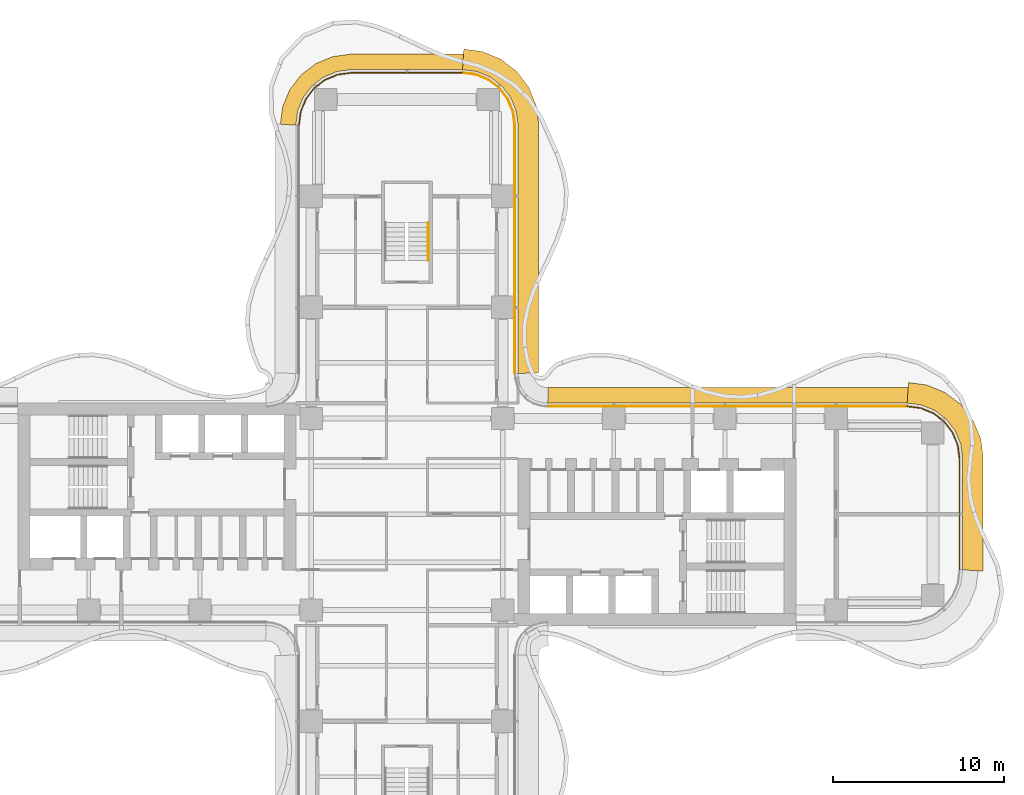
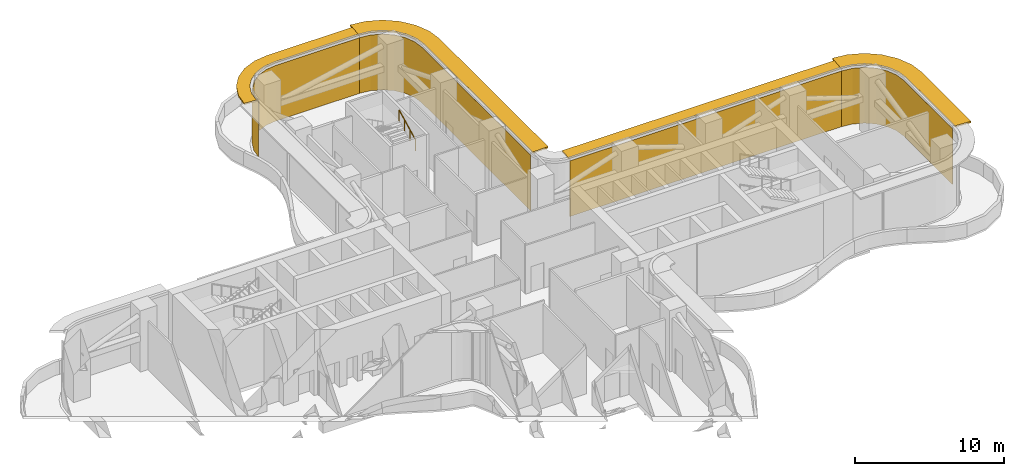
# One storey, part 20 of 20: 4 coverings, 4 shading devices, 1 railing, 4 elements without a shape of their own.
"""IFC4 building model written with IfcOpenShell, lengths in metres."""

from ifc_helpers import new_model, si_unit, direction, frame, origin, origin_2d, place, context, subcontext, project, spatial, polyline, circle, outline, extrude, source, transform, mapped, material, layer, layer_set, type_object, element, aggregate, save


model = new_model("IFC4")

# Units and contexts
model_context = context("Model", 3, precision=1e-05, world=origin(), true_north=direction((0.0, 1.0)))
body_context = subcontext(model_context, "Body", "Model", "MODEL_VIEW")
ifc_project = project(units=[si_unit("LENGTHUNIT", "METRE"), si_unit("AREAUNIT", "SQUARE_METRE"), si_unit("VOLUMEUNIT", "CUBIC_METRE"), si_unit("PLANEANGLEUNIT", "RADIAN"), si_unit("MASSUNIT", "GRAM", prefix="KILO")], contexts=[model_context])

# Site, building, storey
site_placement = place(None, origin())
site = spatial("IfcSite", under=ifc_project, at=site_placement, CompositionType="ELEMENT")
building_placement = place(site_placement, origin())
building = spatial("IfcBuilding", under=site, at=building_placement, Name="Trellis Farm Tower", CompositionType="ELEMENT")
storey_placement = place(building_placement, frame((0.0, 0.0, 92.5)))
storey = spatial("IfcBuildingStorey", under=building, at=storey_placement, Name="L19", CompositionType="ELEMENT", Elevation=92.5)

# Curtain wall, covering
ifc_material_1 = material(Name="Aluminium and glass curtain wall", Category="aluminium")
ifc_layer_1 = layer(ifc_material_1, 0.196044921875)
ifc_layer_set_1 = layer_set([ifc_layer_1], Name="LOUVRED GLASS CURTAIN WALL CW6")
curtain_wall_type = type_object("IfcCurtainWallType", Name="LOUVRED GLASS CURTAIN WALL CW6", PredefinedType="NOTDEFINED", material=ifc_layer_set_1)
placement_1 = place(storey_placement, origin())
curtain_wall_1 = element("IfcCurtainWall", 1, at=placement_1, inside=storey, type_object=curtain_wall_type, Name="CW6 008", PredefinedType="NOTDEFINED")
ifc_material_2 = material(Name="Anodised aluminium louvre", Category="aluminium")
ifc_layer_2 = layer(ifc_material_2, 0.050048828125)
ifc_layer_set_2 = layer_set([ifc_layer_2], Name="CW6 LOUVRE BANK 50")
covering_type = type_object("IfcCoveringType", Name="CW6 LOUVRE BANK 50", PredefinedType="USERDEFINED", material=ifc_layer_set_2)
covering_1 = element("IfcCovering", 2, at=placement_1, type_object=covering_type, Name="LV1 008", ObjectType="LOUVRE", PredefinedType="USERDEFINED", context=body_context, shape_type="SweptSolid", body=[
    extrude(outline(polyline([(32.340087890625, -3.239501953125), (32.340087890625, 3.239501953125), (32.2333984375, 4.04931640625), (31.9248046875, 4.794189453125), (31.43408203125, 5.43408203125), (30.794189453125, 5.9248046875), (30.04931640625, 6.2333984375), (29.239501953125, 6.340087890625), (29.236328125, 6.2900390625), (30.036376953125, 6.1845703125), (30.76904296875, 5.881103515625), (31.3984375, 5.3984375), (31.881103515625, 4.76904296875), (32.1845703125, 4.036376953125), (32.2900390625, 3.236328125), (32.2900390625, -3.236328125), (32.340087890625, -3.239501953125)])), origin(), (0.0, 0.0, 1.0), 4.550048828125),
])
aggregate(curtain_wall_1, [covering_1])

curtain_wall_2 = element("IfcCurtainWall", 3, at=placement_1, inside=storey, type_object=curtain_wall_type, Name="CW6 009", PredefinedType="NOTDEFINED")
covering_2 = element("IfcCovering", 4, at=placement_1, type_object=covering_type, Name="LV1 009", ObjectType="LOUVRE", PredefinedType="USERDEFINED", context=body_context, shape_type="SweptSolid", body=[
    extrude(outline(polyline([(29.239501953125, 6.340087890625), (8.22607421875, 6.340087890625), (8.224609375, 6.2900390625), (29.236328125, 6.2900390625), (29.239501953125, 6.340087890625)])), origin(), (0.0, 0.0, 1.0), 4.550048828125),
])
aggregate(curtain_wall_2, [covering_2])

curtain_wall_3 = element("IfcCurtainWall", 5, at=placement_1, inside=storey, type_object=curtain_wall_type, Name="CW6 011", PredefinedType="NOTDEFINED")
covering_3 = element("IfcCovering", 6, at=placement_1, type_object=covering_type, Name="LV1 011", ObjectType="LOUVRE", PredefinedType="USERDEFINED", context=body_context, shape_type="SweptSolid", body=[
    extrude(outline(polyline([(6.340087890625, 8.22607421875), (6.340087890625, 22.739501953125), (6.2333984375, 23.54931640625), (5.9248046875, 24.294189453125), (5.43408203125, 24.93408203125), (4.794189453125, 25.4248046875), (4.04931640625, 25.7333984375), (3.239501953125, 25.840087890625), (3.236328125, 25.7900390625), (4.036376953125, 25.6845703125), (4.76904296875, 25.381103515625), (5.3984375, 24.8984375), (5.881103515625, 24.26904296875), (6.1845703125, 23.536376953125), (6.2900390625, 22.736328125), (6.2900390625, 8.224609375), (6.340087890625, 8.22607421875)])), origin(), (0.0, 0.0, 1.0), 4.550048828125),
])
aggregate(curtain_wall_3, [covering_3])

curtain_wall_4 = element("IfcCurtainWall", 7, at=placement_1, inside=storey, type_object=curtain_wall_type, Name="CW6 012", PredefinedType="NOTDEFINED")
covering_4 = element("IfcCovering", 8, at=placement_1, type_object=covering_type, Name="LV1 012", ObjectType="LOUVRE", PredefinedType="USERDEFINED", context=body_context, shape_type="SweptSolid", body=[
    extrude(outline(polyline([(3.239501953125, 25.840087890625), (-3.239501953125, 25.840087890625), (-4.04931640625, 25.7333984375), (-4.794189453125, 25.4248046875), (-5.43408203125, 24.93408203125), (-5.9248046875, 24.294189453125), (-6.2333984375, 23.54931640625), (-6.340087890625, 22.739501953125), (-6.2900390625, 22.736328125), (-6.1845703125, 23.536376953125), (-5.881103515625, 24.26904296875), (-5.3984375, 24.8984375), (-4.76904296875, 25.381103515625), (-4.036376953125, 25.6845703125), (-3.236328125, 25.7900390625), (3.236328125, 25.7900390625), (3.239501953125, 25.840087890625)])), origin(), (0.0, 0.0, 1.0), 4.550048828125),
])
aggregate(curtain_wall_4, [covering_4])

# Railing
ifc_material_3 = material(Name="Stainless steel", Category="steel")
railing_type = type_object("IfcRailingType", Name="STAIR HANDRAIL 900", PredefinedType="HANDRAIL", material=ifc_material_3)
shared_shape_1 = source(origin(), body_context, "Body", "SweptSolid", [
    extrude(circle(Radius=0.02392578125, at=origin_2d()), frame((0.0, 0.0, 0.8759765625), z_axis=(0.0, 0.892617056473, 0.450815694596), x_axis=(-1.0, 0.0, 0.0)), (0.0, 0.0, 1.0), 2.464599609375),
    extrude(circle(Radius=0.02099609375, at=origin_2d()), origin(), (0.0, 0.0, 1.0), 0.851806640625),
    extrude(circle(Radius=0.02099609375, at=origin_2d()), frame((0.0, 0.7333984375, 0.370361328125)), (0.0, 0.0, 1.0), 0.851806640625),
    extrude(circle(Radius=0.02099609375, at=origin_2d()), frame((0.0, 1.466552734375, 0.74072265625)), (0.0, 0.0, 1.0), 0.851806640625),
    extrude(circle(Radius=0.02099609375, at=origin_2d()), frame((0.0, 2.199951171875, 1.111083984375)), (0.0, 0.0, 1.0), 0.851806640625),
])
railing_placement = place(storey_placement, frame((1.25, 14.85009765625, 2.638916015625)))
element("IfcRailing", 9, at=railing_placement, inside=storey, type_object=railing_type, Name="Stair handrail", PredefinedType="HANDRAIL", context=body_context, shape_type="MappedRepresentation", body=[
    mapped(shared_shape_1, transform((0.0, 0.0, 0.0))),
])

# Shading devices
ifc_material_4 = material(Name="Aluminium extrusion 6063-T6", Category="aluminium")
ifc_layer_3 = layer(ifc_material_4, 0.1201171875)
ifc_layer_set_3 = layer_set([ifc_layer_3], Name="SUNSHADE BLADE 1200")
shading_device_type_1 = type_object("IfcShadingDeviceType", Name="SUNSHADE BLADE 1200", PredefinedType="USERDEFINED", material=ifc_layer_set_3)
shared_shape_2 = source(origin(), body_context, "Body", "SweptSolid", [
    extrude(outline(polyline([(33.699951171875, -3.32861328125), (33.699951171875, 3.32861328125), (33.558349609375, 4.404541015625), (33.11279296875, 5.480224609375), (32.404052734375, 6.404052734375), (31.480224609375, 7.11279296875), (30.404541015625, 7.558349609375), (29.32861328125, 7.699951171875), (29.25, 6.5), (30.091064453125, 6.38916015625), (30.875, 6.064697265625), (31.548095703125, 5.548095703125), (32.064697265625, 4.875), (32.38916015625, 4.091064453125), (32.5, 3.25), (32.5, -3.25), (33.699951171875, -3.32861328125)])), origin(), (0.0, 0.0, 1.0), 0.119873046875),
])
placement_2 = place(storey_placement, frame((0.0, 0.0, 4.590087890625)))
element("IfcShadingDevice", 10, at=placement_2, inside=storey, type_object=shading_device_type_1, Name="SD2 008", ObjectType="SUNSHADE", PredefinedType="USERDEFINED", context=body_context, shape_type="MappedRepresentation", body=[
    mapped(shared_shape_2, transform((0.0, 0.0, 0.0))),
])
ifc_layer_4 = layer(ifc_material_4, 0.1201171875)
ifc_layer_set_4 = layer_set([ifc_layer_4], Name="SUNSHADE BLADE 900")
shading_device_type_2 = type_object("IfcShadingDeviceType", Name="SUNSHADE BLADE 900", PredefinedType="USERDEFINED", material=ifc_layer_set_4)
shared_shape_3 = source(origin(), body_context, "Body", "SweptSolid", [
    extrude(outline(polyline([(29.30908203125, 7.39990234375), (8.2607421875, 7.39990234375), (8.2314453125, 6.5), (29.25, 6.5), (29.30908203125, 7.39990234375)])), origin(), (0.0, 0.0, 1.0), 0.119873046875),
])
element("IfcShadingDevice", 11, at=placement_2, inside=storey, type_object=shading_device_type_2, Name="SD1 009", ObjectType="SUNSHADE", PredefinedType="USERDEFINED", context=body_context, shape_type="MappedRepresentation", body=[
    mapped(shared_shape_3, transform((0.0, 0.0, 0.0))),
])
shared_shape_4 = source(origin(), body_context, "Body", "SweptSolid", [
    extrude(outline(polyline([(7.699951171875, 8.270751953125), (7.699951171875, 22.82861328125), (7.558349609375, 23.904541015625), (7.11279296875, 24.980224609375), (6.404052734375, 25.904052734375), (5.480224609375, 26.61279296875), (4.404541015625, 27.058349609375), (3.32861328125, 27.199951171875), (3.25, 26.0), (4.091064453125, 25.88916015625), (4.875, 25.564697265625), (5.548095703125, 25.048095703125), (6.064697265625, 24.375), (6.38916015625, 23.591064453125), (6.5, 22.75), (6.5, 8.2314453125), (7.699951171875, 8.270751953125)])), origin(), (0.0, 0.0, 1.0), 0.119873046875),
])
element("IfcShadingDevice", 12, at=placement_2, inside=storey, type_object=shading_device_type_1, Name="SD2 011", ObjectType="SUNSHADE", PredefinedType="USERDEFINED", context=body_context, shape_type="MappedRepresentation", body=[
    mapped(shared_shape_4, transform((0.0, 0.0, 0.0))),
])
shared_shape_5 = source(origin(), body_context, "Body", "SweptSolid", [
    extrude(outline(polyline([(3.30908203125, 26.89990234375), (-3.30908203125, 26.89990234375), (-4.326171875, 26.76611328125), (-5.328857421875, 26.350830078125), (-6.18994140625, 25.68994140625), (-6.850830078125, 24.828857421875), (-7.26611328125, 23.826171875), (-7.39990234375, 22.80908203125), (-6.5, 22.75), (-6.38916015625, 23.591064453125), (-6.064697265625, 24.375), (-5.548095703125, 25.048095703125), (-4.875, 25.564697265625), (-4.091064453125, 25.88916015625), (-3.25, 26.0), (3.25, 26.0), (3.30908203125, 26.89990234375)])), origin(), (0.0, 0.0, 1.0), 0.119873046875),
])
element("IfcShadingDevice", 13, at=placement_2, inside=storey, type_object=shading_device_type_2, Name="SD1 012", ObjectType="SUNSHADE", PredefinedType="USERDEFINED", context=body_context, shape_type="MappedRepresentation", body=[
    mapped(shared_shape_5, transform((0.0, 0.0, 0.0))),
])

save(model, "model.ifc")
